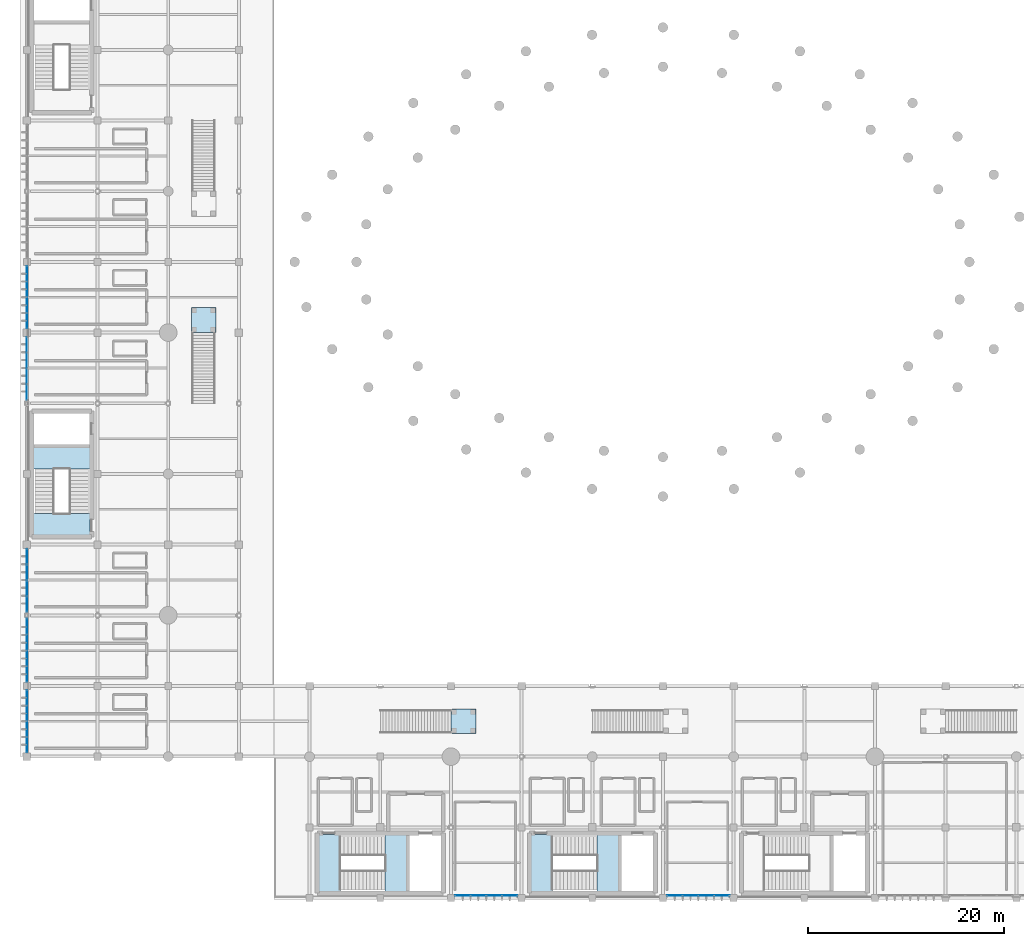
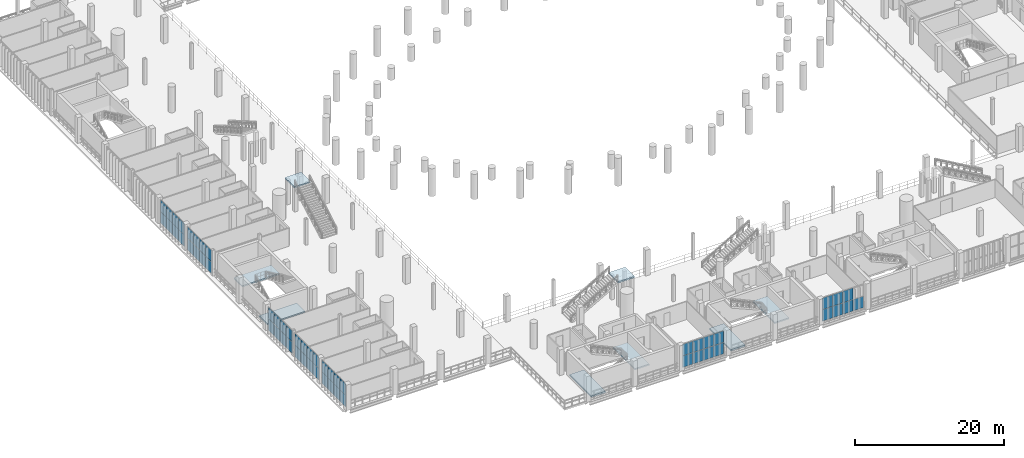
# One storey, part 90 of 130: 55 plates, 8 slabs, 12 elements without a shape of their own.
"""IFC4 building model written with IfcOpenShell, lengths in metres."""

import ifcopenshell
import ifcopenshell.guid

model = None  # the IFC model being written
_history = None  # IfcOwnerHistory: only IFC2X3 demands one
_inside = {}  # id of a spatial element -> (the spatial element, [elements in it])
_under = {}  # id of a project, library or spatial element -> (it, [spatial elements below it])
_declared = {}  # id of a project -> (the project, [libraries it declares])
_typed = {}  # id of a type object -> (the type object, [elements of that type])
_made_of = {}  # id of a material, layer set ... -> (it, [elements and type objects made of it])


def new_model(schema):
    """Start an empty IFC model of exactly this schema.

    Asked for "IFC4X3", IfcOpenShell would pick the latest addendum, in which some entities
    have other attributes; the version numbers below select the first issue.
    IFC2X3 requires an IfcOwnerHistory on every rooted entity: one is made here for all.
    """
    global model, _history
    if schema == "IFC4X3":
        model = ifcopenshell.file(schema_version=(4, 3, 0, 0))
    else:
        model = ifcopenshell.file(schema=schema)
    _inside.clear()
    _under.clear()
    _declared.clear()
    _typed.clear()
    _made_of.clear()
    _history = None
    if model.schema == "IFC2X3":
        org = make("IfcOrganization", Name="unknown")
        user = make(
            "IfcPersonAndOrganization",
            ThePerson=make("IfcPerson", FamilyName="unknown"),
            TheOrganization=org,
        )
        app = make(
            "IfcApplication",
            ApplicationDeveloper=org,
            Version="unknown",
            ApplicationFullName="unknown",
            ApplicationIdentifier="unknown",
        )
        _history = make(
            "IfcOwnerHistory",
            OwningUser=user,
            OwningApplication=app,
            ChangeAction="ADDED",
            CreationDate=0,
        )
    return model


def make(cls, **values):
    """One entity of the class cls with the attributes given. An attribute that is None is left unset."""
    return model.create_entity(
        cls, **{name: value for name, value in values.items() if value is not None}
    )


def rooted(cls, **values):
    """An entity with a GlobalId (a new one), such as an element, a storey or a relation."""
    return make(cls, GlobalId=ifcopenshell.guid.new(), OwnerHistory=_history, **values)


def si_unit(unit_type, name, prefix=None):
    """IfcSIUnit, for example si_unit("LENGTHUNIT", "METRE", prefix="MILLI")."""
    return make("IfcSIUnit", UnitType=unit_type, Prefix=prefix, Name=name)


def assignment(units):
    """IfcUnitAssignment: the units of a project."""
    return None if units is None else make("IfcUnitAssignment", Units=units)


def point(xyz):
    """IfcCartesianPoint."""
    return None if xyz is None else make("IfcCartesianPoint", Coordinates=xyz)


def direction(xyz):
    """IfcDirection."""
    return None if xyz is None else make("IfcDirection", DirectionRatios=xyz)


def frame(location, z_axis=None, x_axis=None):
    """IfcAxis2Placement3D, a coordinate frame: its origin and axes. An axis left out is left unset."""
    return make(
        "IfcAxis2Placement3D",
        Location=point(location),
        Axis=direction(z_axis),
        RefDirection=direction(x_axis),
    )


def frame_2d(location, x_axis=None):
    """IfcAxis2Placement2D, a coordinate frame in the plane: its origin and x axis."""
    return make(
        "IfcAxis2Placement2D", Location=point(location), RefDirection=direction(x_axis)
    )


def origin():
    """The frame at (0, 0, 0) with its axes left unset."""
    return frame((0.0, 0.0, 0.0))


def origin_2d():
    """The frame at (0, 0) in the plane with its x axis left unset."""
    return frame_2d((0.0, 0.0))


def place(relative_to, where):
    """IfcLocalPlacement: puts the frame where relative to a parent placement (None: the world)."""
    return make(
        "IfcLocalPlacement", PlacementRelTo=relative_to, RelativePlacement=where
    )


def context(
    kind, dimensions, precision=None, world=None, true_north=None, identifier=None
):
    """IfcGeometricRepresentationContext, for example the 3D "Model" context."""
    return make(
        "IfcGeometricRepresentationContext",
        ContextIdentifier=identifier,
        ContextType=kind,
        CoordinateSpaceDimension=dimensions,
        Precision=precision,
        WorldCoordinateSystem=world,
        TrueNorth=true_north,
    )


def subcontext(parent, identifier, kind, view, scale=None):
    """IfcGeometricRepresentationSubContext, for example "Body" below "Model"."""
    return make(
        "IfcGeometricRepresentationSubContext",
        ContextIdentifier=identifier,
        ContextType=kind,
        ParentContext=parent,
        TargetScale=scale,
        TargetView=view,
    )


def project(units=None, contexts=None):
    """IfcProject with its units and contexts."""
    return rooted(
        "IfcProject",
        Name="project",
        RepresentationContexts=contexts,
        UnitsInContext=assignment(units),
    )


def spatial(cls, under=None, at=None, **own):
    """A site, building, storey or space (cls), placed at a placement, below another one or the project."""
    s = rooted(cls, ObjectPlacement=at, **own)
    if under is not None:
        _under.setdefault(under.id(), (under, []))[1].append(s)
    return s


def polyline(points):
    """IfcPolyline through the points."""
    return make("IfcPolyline", Points=[point(p) for p in points])


def profile(cls, at=None, kind="AREA", **sizes):
    """A parametric profile (cls). Its sizes go by their IFC names, for example OverallWidth=200.0."""
    return make(cls, ProfileType=kind, Position=at, **sizes)


def rectangle(**sizes):
    """IfcRectangleProfileDef."""
    return profile("IfcRectangleProfileDef", **sizes)


def outline(outer, holes=None, kind="AREA"):
    """IfcArbitraryClosedProfileDef: a profile drawn as a closed curve; with holes, ...WithVoids."""
    if holes is None:
        return make("IfcArbitraryClosedProfileDef", ProfileType=kind, OuterCurve=outer)
    return make(
        "IfcArbitraryProfileDefWithVoids",
        ProfileType=kind,
        OuterCurve=outer,
        InnerCurves=holes,
    )


def extrude(swept, where, along, depth):
    """IfcExtrudedAreaSolid: the profile swept, set in the frame where, extruded along a direction by depth."""
    return make(
        "IfcExtrudedAreaSolid",
        SweptArea=swept,
        Position=where,
        ExtrudedDirection=direction(along),
        Depth=depth,
    )


def shape(context_of_items, identifier, shape_type, items):
    """IfcShapeRepresentation: the items that make up one representation, for example the "Body"."""
    return make(
        "IfcShapeRepresentation",
        ContextOfItems=context_of_items,
        RepresentationIdentifier=identifier,
        RepresentationType=shape_type,
        Items=items,
    )


def material(Name=None, Category=None):
    """IfcMaterial."""
    return make("IfcMaterial", Name=Name, Category=Category)


def layer(
    of_material, thickness, ventilated=None, Name=None, Category=None, Priority=None
):
    """IfcMaterialLayer: one layer of a wall or slab, of a material (None: an air gap)."""
    return make(
        "IfcMaterialLayer",
        Material=of_material,
        LayerThickness=thickness,
        IsVentilated=ventilated,
        Name=Name,
        Category=Category,
        Priority=Priority,
    )


def layer_set(layers, Name=None):
    """IfcMaterialLayerSet."""
    return make("IfcMaterialLayerSet", MaterialLayers=layers, LayerSetName=Name)


def made_of(thing, what):
    """Note that an element or type object is made of a material, layer set ...; save() writes the relation."""
    if what is not None:
        _made_of.setdefault(what.id(), (what, []))[1].append(thing)
    return thing


def type_object(cls, material=None, **own):
    """A type object (cls), such as IfcWallType, which elements share."""
    return made_of(rooted(cls, **own), material)


def element(
    cls,
    number,
    at=None,
    inside=None,
    cuts=None,
    type_object=None,
    material=None,
    context=None,
    identifier="Body",
    shape_type=None,
    held_by="IfcProductDefinitionShape",
    body=None,
    shapes=None,
    **own,
):
    """One element of the class cls, such as IfcWall. Its Tag is "e" and its number.

    at: its placement. inside: the storey or other place that contains it. cuts: it is an
    opening in that element (IfcRelVoidsElement). A single representation is given by context,
    identifier, shape_type and body (its items); several are given by shapes. held_by: the class
    of the entity that holds the representations. save() writes the other relations.
    """
    e = rooted(cls, Tag="e%d" % number, ObjectPlacement=at, **own)
    if body is not None:
        shapes = [shape(context, identifier, shape_type, body)]
    if shapes is not None:
        e.Representation = make(held_by, Representations=shapes)
    if inside is not None:
        _inside.setdefault(inside.id(), (inside, []))[1].append(e)
    if cuts is not None:
        rooted(
            "IfcRelVoidsElement", RelatingBuildingElement=cuts, RelatedOpeningElement=e
        )
    if type_object is not None:
        _typed.setdefault(type_object.id(), (type_object, []))[1].append(e)
    return made_of(e, material)


def aggregate(whole, parts):
    """IfcRelAggregates: a whole, such as a stair, and the parts it consists of."""
    return rooted("IfcRelAggregates", RelatingObject=whole, RelatedObjects=parts)


def save(model, path):
    """Write the relations noted so far, then the file.

    IfcRelAggregates (storeys below a building ...), IfcRelContainedInSpatialStructure (elements
    in a storey), IfcRelDefinesByType, IfcRelAssociatesMaterial and IfcRelDeclares: one each for
    every whole, place, type object, material and project.
    """
    for whole, parts in _under.values():
        aggregate(whole, parts)
    for where, things in _inside.values():
        rooted(
            "IfcRelContainedInSpatialStructure",
            RelatedElements=things,
            RelatingStructure=where,
        )
    for kind, things in _typed.values():
        rooted("IfcRelDefinesByType", RelatedObjects=things, RelatingType=kind)
    for what, things in _made_of.values():
        rooted("IfcRelAssociatesMaterial", RelatedObjects=things, RelatingMaterial=what)
    for by, libraries in _declared.values():
        rooted("IfcRelDeclares", RelatingContext=by, RelatedDefinitions=libraries)
    model.write(path)


model = new_model("IFC4")

# Units and contexts
model_context = context("Model", 3, precision=1e-05, world=origin(), true_north=direction((0.0, 1.0)))
body_context = subcontext(model_context, "Body", "Model", "MODEL_VIEW")
ifc_project = project(units=[si_unit("LENGTHUNIT", "METRE"), si_unit("AREAUNIT", "SQUARE_METRE"), si_unit("VOLUMEUNIT", "CUBIC_METRE"), si_unit("PLANEANGLEUNIT", "RADIAN"), si_unit("MASSUNIT", "GRAM", prefix="KILO")], contexts=[model_context])

# Site, building, storey
site_placement = place(None, origin())
site = spatial("IfcSite", under=ifc_project, at=site_placement, CompositionType="ELEMENT")
building_placement = place(site_placement, origin())
building = spatial("IfcBuilding", under=site, at=building_placement, Name="Qandorah Velis Arena", CompositionType="ELEMENT")
storey_placement = place(building_placement, frame((0.0, 0.0, 9.60009765625)))
storey = spatial("IfcBuildingStorey", under=building, at=storey_placement, Name="L02", CompositionType="ELEMENT", Elevation=9.60009765625)

# Curtain wall, plates
ifc_material_1 = material(Name="Solar-control low-E double glazing", Category="glass")
curtain_wall_type_1 = type_object("IfcCurtainWallType", Name="ARC-CW-SYS14", PredefinedType="USERDEFINED", material=ifc_material_1)
curtain_wall_1_placement = place(storey_placement, origin())
curtain_wall_1 = element("IfcCurtainWall", 1, at=curtain_wall_1_placement, inside=storey, type_object=curtain_wall_type_1, Name="Unitised curtain wall L02-014", ObjectType="UNITISED CURTAIN WALL", PredefinedType="USERDEFINED")
ifc_layer_1 = layer(ifc_material_1, 0.02392578125)
ifc_layer_set_1 = layer_set([ifc_layer_1], Name="Solar-control low-E double glazing")
plate_type_1 = type_object("IfcPlateType", Name="ARC-CWP-GLZ24", PredefinedType="CURTAIN_PANEL", material=ifc_layer_set_1)
plate_1_placement = place(storey_placement, frame((0.0, 51.52880859375, 0.0546875), z_axis=(0.0, 0.0, 1.0), x_axis=(0.0, 1.0, 0.0)))
plate_1 = element("IfcPlate", 2, at=plate_1_placement, type_object=plate_type_1, Name="CW14 panel 1.1", PredefinedType="CURTAIN_PANEL", context=body_context, shape_type="SweptSolid", body=[
    extrude(rectangle(XDim=1.547607421875, YDim=0.02392578125, at=origin_2d()), origin(), (0.0, 0.0, 1.0), 1.862548828125),
])
plate_2_placement = place(storey_placement, frame((0.0, 51.52880859375, 1.96240234375), z_axis=(0.0, 0.0, 1.0), x_axis=(0.0, 1.0, 0.0)))
plate_2 = element("IfcPlate", 3, at=plate_2_placement, type_object=plate_type_1, Name="CW14 panel 1.2", PredefinedType="CURTAIN_PANEL", context=body_context, shape_type="SweptSolid", body=[
    extrude(rectangle(XDim=1.547607421875, YDim=0.02392578125, at=origin_2d()), origin(), (0.0, 0.0, 1.0), 1.862548828125),
])
plate_3_placement = place(storey_placement, frame((0.0, 53.137451171875, 0.0546875), z_axis=(0.0, 0.0, 1.0), x_axis=(0.0, 1.0, 0.0)))
plate_3 = element("IfcPlate", 4, at=plate_3_placement, type_object=plate_type_1, Name="CW14 panel 2.1", PredefinedType="CURTAIN_PANEL", context=body_context, shape_type="SweptSolid", body=[
    extrude(rectangle(XDim=1.580078125, YDim=0.02392578125, at=origin_2d()), origin(), (0.0, 0.0, 1.0), 1.862548828125),
])
plate_4_placement = place(storey_placement, frame((0.0, 53.137451171875, 1.96240234375), z_axis=(0.0, 0.0, 1.0), x_axis=(0.0, 1.0, 0.0)))
plate_4 = element("IfcPlate", 5, at=plate_4_placement, type_object=plate_type_1, Name="CW14 panel 2.2", PredefinedType="CURTAIN_PANEL", context=body_context, shape_type="SweptSolid", body=[
    extrude(rectangle(XDim=1.580078125, YDim=0.02392578125, at=origin_2d()), origin(), (0.0, 0.0, 1.0), 1.862548828125),
])
plate_5_placement = place(storey_placement, frame((0.0, 54.762451171875, 0.0546875), z_axis=(0.0, 0.0, 1.0), x_axis=(0.0, 1.0, 0.0)))
plate_5 = element("IfcPlate", 6, at=plate_5_placement, type_object=plate_type_1, Name="CW14 panel 3.1", PredefinedType="CURTAIN_PANEL", context=body_context, shape_type="SweptSolid", body=[
    extrude(rectangle(XDim=1.580078125, YDim=0.02392578125, at=origin_2d()), origin(), (0.0, 0.0, 1.0), 1.862548828125),
])
plate_6_placement = place(storey_placement, frame((0.0, 54.762451171875, 1.96240234375), z_axis=(0.0, 0.0, 1.0), x_axis=(0.0, 1.0, 0.0)))
plate_6 = element("IfcPlate", 7, at=plate_6_placement, type_object=plate_type_1, Name="CW14 panel 3.2", PredefinedType="CURTAIN_PANEL", context=body_context, shape_type="SweptSolid", body=[
    extrude(rectangle(XDim=1.580078125, YDim=0.02392578125, at=origin_2d()), origin(), (0.0, 0.0, 1.0), 1.862548828125),
])
plate_7_placement = place(storey_placement, frame((0.0, 56.371337890625, 0.0546875), z_axis=(0.0, 0.0, 1.0), x_axis=(0.0, 1.0, 0.0)))
plate_7 = element("IfcPlate", 8, at=plate_7_placement, type_object=plate_type_1, Name="CW14 panel 4.1", PredefinedType="CURTAIN_PANEL", context=body_context, shape_type="SweptSolid", body=[
    extrude(rectangle(XDim=1.547607421875, YDim=0.02392578125, at=origin_2d()), origin(), (0.0, 0.0, 1.0), 1.862548828125),
])
plate_8_placement = place(storey_placement, frame((0.0, 56.371337890625, 1.96240234375), z_axis=(0.0, 0.0, 1.0), x_axis=(0.0, 1.0, 0.0)))
plate_8 = element("IfcPlate", 9, at=plate_8_placement, type_object=plate_type_1, Name="CW14 panel 4.2", PredefinedType="CURTAIN_PANEL", context=body_context, shape_type="SweptSolid", body=[
    extrude(rectangle(XDim=1.547607421875, YDim=0.02392578125, at=origin_2d()), origin(), (0.0, 0.0, 1.0), 1.862548828125),
])
aggregate(curtain_wall_1, [plate_1, plate_2, plate_3, plate_4, plate_5, plate_6, plate_7, plate_8])

curtain_wall_type_2 = type_object("IfcCurtainWallType", Name="ARC-CW-SYS16", PredefinedType="USERDEFINED", material=ifc_material_1)
curtain_wall_2_placement = place(storey_placement, origin())
curtain_wall_2 = element("IfcCurtainWall", 10, at=curtain_wall_2_placement, inside=storey, type_object=curtain_wall_type_2, Name="Unitised curtain wall L02-064", ObjectType="UNITISED CURTAIN WALL", PredefinedType="USERDEFINED")
plate_9_placement = place(storey_placement, frame((65.9951171875, 0.25, 0.044921875), z_axis=(0.0, 0.0, 1.0), x_axis=(1.0, 0.0, 0.0)))
plate_9 = element("IfcPlate", 11, at=plate_9_placement, type_object=plate_type_1, Name="CW16 panel 1.1", PredefinedType="CURTAIN_PANEL", context=body_context, shape_type="SweptSolid", body=[
    extrude(rectangle(XDim=1.550048828125, YDim=0.02392578125, at=origin_2d()), origin(), (0.0, 0.0, 1.0), 1.87744140625),
])
plate_10_placement = place(storey_placement, frame((65.9951171875, 0.25, 1.95751953125), z_axis=(0.0, 0.0, 1.0), x_axis=(1.0, 0.0, 0.0)))
plate_10 = element("IfcPlate", 12, at=plate_10_placement, type_object=plate_type_1, Name="CW16 panel 1.2", PredefinedType="CURTAIN_PANEL", context=body_context, shape_type="SweptSolid", body=[
    extrude(rectangle(XDim=1.550048828125, YDim=0.02392578125, at=origin_2d()), origin(), (0.0, 0.0, 1.0), 1.87744140625),
])
plate_11_placement = place(storey_placement, frame((67.59375, 0.25, 0.044921875), z_axis=(0.0, 0.0, 1.0), x_axis=(1.0, 0.0, 0.0)))
plate_11 = element("IfcPlate", 13, at=plate_11_placement, type_object=plate_type_1, Name="CW16 panel 2.1", PredefinedType="CURTAIN_PANEL", context=body_context, shape_type="SweptSolid", body=[
    extrude(rectangle(XDim=1.577392578125, YDim=0.02392578125, at=origin_2d()), origin(), (0.0, 0.0, 1.0), 1.87744140625),
])
plate_12_placement = place(storey_placement, frame((67.59375, 0.25, 1.95751953125), z_axis=(0.0, 0.0, 1.0), x_axis=(1.0, 0.0, 0.0)))
plate_12 = element("IfcPlate", 14, at=plate_12_placement, type_object=plate_type_1, Name="CW16 panel 2.2", PredefinedType="CURTAIN_PANEL", context=body_context, shape_type="SweptSolid", body=[
    extrude(rectangle(XDim=1.577392578125, YDim=0.02392578125, at=origin_2d()), origin(), (0.0, 0.0, 1.0), 1.87744140625),
])
plate_13_placement = place(storey_placement, frame((69.206298828125, 0.25, 0.044921875), z_axis=(0.0, 0.0, 1.0), x_axis=(1.0, 0.0, 0.0)))
plate_13 = element("IfcPlate", 15, at=plate_13_placement, type_object=plate_type_1, Name="CW16 panel 3.1", PredefinedType="CURTAIN_PANEL", context=body_context, shape_type="SweptSolid", body=[
    extrude(rectangle(XDim=1.577392578125, YDim=0.02392578125, at=origin_2d()), origin(), (0.0, 0.0, 1.0), 1.87744140625),
])
plate_14_placement = place(storey_placement, frame((69.206298828125, 0.25, 1.95751953125), z_axis=(0.0, 0.0, 1.0), x_axis=(1.0, 0.0, 0.0)))
plate_14 = element("IfcPlate", 16, at=plate_14_placement, type_object=plate_type_1, Name="CW16 panel 3.2", PredefinedType="CURTAIN_PANEL", context=body_context, shape_type="SweptSolid", body=[
    extrude(rectangle(XDim=1.577392578125, YDim=0.02392578125, at=origin_2d()), origin(), (0.0, 0.0, 1.0), 1.87744140625),
])
plate_15_placement = place(storey_placement, frame((70.804931640625, 0.25, 0.044921875), z_axis=(0.0, 0.0, 1.0), x_axis=(1.0, 0.0, 0.0)))
plate_15 = element("IfcPlate", 17, at=plate_15_placement, type_object=plate_type_1, Name="CW16 panel 4.1", PredefinedType="CURTAIN_PANEL", context=body_context, shape_type="SweptSolid", body=[
    extrude(rectangle(XDim=1.550048828125, YDim=0.02392578125, at=origin_2d()), origin(), (0.0, 0.0, 1.0), 1.87744140625),
])
aggregate(curtain_wall_2, [plate_9, plate_10, plate_11, plate_12, plate_13, plate_14, plate_15])

curtain_wall_type_3 = type_object("IfcCurtainWallType", Name="ARC-CW-SYS13", PredefinedType="USERDEFINED", material=ifc_material_1)
curtain_wall_3_placement = place(storey_placement, origin())
curtain_wall_3 = element("IfcCurtainWall", 18, at=curtain_wall_3_placement, inside=storey, type_object=curtain_wall_type_3, Name="Unitised curtain wall L02-013", ObjectType="UNITISED CURTAIN WALL", PredefinedType="USERDEFINED")
ifc_layer_2 = layer(ifc_material_1, 0.028076171875)
ifc_layer_set_2 = layer_set([ifc_layer_2], Name="Solar-control low-E double glazing")
plate_type_2 = type_object("IfcPlateType", Name="ARC-CWP-GLZ28", PredefinedType="CURTAIN_PANEL", material=ifc_layer_set_2)
plate_16_placement = place(storey_placement, frame((0.0, 29.93115234375, 0.06494140625), z_axis=(0.0, 0.0, 1.0), x_axis=(0.0, 1.0, 0.0)))
plate_16 = element("IfcPlate", 19, at=plate_16_placement, type_object=plate_type_2, Name="CW13 panel 1.1", PredefinedType="CURTAIN_PANEL", context=body_context, shape_type="SweptSolid", body=[
    extrude(rectangle(XDim=1.532470703125, YDim=0.028076171875, at=origin_2d()), origin(), (0.0, 0.0, 1.0), 1.847412109375),
])
plate_17_placement = place(storey_placement, frame((0.0, 29.93115234375, 1.96728515625), z_axis=(0.0, 0.0, 1.0), x_axis=(0.0, 1.0, 0.0)))
plate_17 = element("IfcPlate", 20, at=plate_17_placement, type_object=plate_type_2, Name="CW13 panel 1.2", PredefinedType="CURTAIN_PANEL", context=body_context, shape_type="SweptSolid", body=[
    extrude(rectangle(XDim=1.532470703125, YDim=0.028076171875, at=origin_2d()), origin(), (0.0, 0.0, 1.0), 1.847412109375),
])
plate_18_placement = place(storey_placement, frame((0.0, 31.53759765625, 0.06494140625), z_axis=(0.0, 0.0, 1.0), x_axis=(0.0, 1.0, 0.0)))
plate_18 = element("IfcPlate", 21, at=plate_18_placement, type_object=plate_type_2, Name="CW13 panel 2.1", PredefinedType="CURTAIN_PANEL", context=body_context, shape_type="SweptSolid", body=[
    extrude(rectangle(XDim=1.570068359375, YDim=0.028076171875, at=origin_2d()), origin(), (0.0, 0.0, 1.0), 1.847412109375),
])
plate_19_placement = place(storey_placement, frame((0.0, 31.53759765625, 1.96728515625), z_axis=(0.0, 0.0, 1.0), x_axis=(0.0, 1.0, 0.0)))
plate_19 = element("IfcPlate", 22, at=plate_19_placement, type_object=plate_type_2, Name="CW13 panel 2.2", PredefinedType="CURTAIN_PANEL", context=body_context, shape_type="SweptSolid", body=[
    extrude(rectangle(XDim=1.570068359375, YDim=0.028076171875, at=origin_2d()), origin(), (0.0, 0.0, 1.0), 1.847412109375),
])
plate_20_placement = place(storey_placement, frame((0.0, 33.16259765625, 0.06494140625), z_axis=(0.0, 0.0, 1.0), x_axis=(0.0, 1.0, 0.0)))
plate_20 = element("IfcPlate", 23, at=plate_20_placement, type_object=plate_type_2, Name="CW13 panel 3.1", PredefinedType="CURTAIN_PANEL", context=body_context, shape_type="SweptSolid", body=[
    extrude(rectangle(XDim=1.570068359375, YDim=0.028076171875, at=origin_2d()), origin(), (0.0, 0.0, 1.0), 1.847412109375),
])
plate_21_placement = place(storey_placement, frame((0.0, 33.16259765625, 1.96728515625), z_axis=(0.0, 0.0, 1.0), x_axis=(0.0, 1.0, 0.0)))
plate_21 = element("IfcPlate", 24, at=plate_21_placement, type_object=plate_type_2, Name="CW13 panel 3.2", PredefinedType="CURTAIN_PANEL", context=body_context, shape_type="SweptSolid", body=[
    extrude(rectangle(XDim=1.570068359375, YDim=0.028076171875, at=origin_2d()), origin(), (0.0, 0.0, 1.0), 1.847412109375),
])
plate_22_placement = place(storey_placement, frame((0.0, 34.768798828125, 0.06494140625), z_axis=(0.0, 0.0, 1.0), x_axis=(0.0, 1.0, 0.0)))
plate_22 = element("IfcPlate", 25, at=plate_22_placement, type_object=plate_type_2, Name="CW13 panel 4.1", PredefinedType="CURTAIN_PANEL", context=body_context, shape_type="SweptSolid", body=[
    extrude(rectangle(XDim=1.532470703125, YDim=0.028076171875, at=origin_2d()), origin(), (0.0, 0.0, 1.0), 1.847412109375),
])
plate_23_placement = place(storey_placement, frame((0.0, 34.768798828125, 1.96728515625), z_axis=(0.0, 0.0, 1.0), x_axis=(0.0, 1.0, 0.0)))
plate_23 = element("IfcPlate", 26, at=plate_23_placement, type_object=plate_type_2, Name="CW13 panel 4.2", PredefinedType="CURTAIN_PANEL", context=body_context, shape_type="SweptSolid", body=[
    extrude(rectangle(XDim=1.532470703125, YDim=0.028076171875, at=origin_2d()), origin(), (0.0, 0.0, 1.0), 1.847412109375),
])
aggregate(curtain_wall_3, [plate_16, plate_17, plate_18, plate_19, plate_20, plate_21, plate_22, plate_23])

curtain_wall_type_4 = type_object("IfcCurtainWallType", Name="ARC-CW-SYS15", PredefinedType="USERDEFINED", material=ifc_material_1)
curtain_wall_4_placement = place(storey_placement, origin())
curtain_wall_4 = element("IfcCurtainWall", 27, at=curtain_wall_4_placement, inside=storey, type_object=curtain_wall_type_4, Name="Unitised curtain wall L02-063", ObjectType="UNITISED CURTAIN WALL", PredefinedType="USERDEFINED")
plate_24_placement = place(storey_placement, frame((44.396240234375, 0.25, 0.0498046875), z_axis=(0.0, 0.0, 1.0), x_axis=(1.0, 0.0, 0.0)))
plate_24 = element("IfcPlate", 28, at=plate_24_placement, type_object=plate_type_2, Name="CW15 panel 1.1", PredefinedType="CURTAIN_PANEL", context=body_context, shape_type="SweptSolid", body=[
    extrude(rectangle(XDim=1.54248046875, YDim=0.028076171875, at=origin_2d()), origin(), (0.0, 0.0, 1.0), 1.8701171875),
])
plate_25_placement = place(storey_placement, frame((44.396240234375, 0.25, 1.9599609375), z_axis=(0.0, 0.0, 1.0), x_axis=(1.0, 0.0, 0.0)))
plate_25 = element("IfcPlate", 29, at=plate_25_placement, type_object=plate_type_2, Name="CW15 panel 1.2", PredefinedType="CURTAIN_PANEL", context=body_context, shape_type="SweptSolid", body=[
    extrude(rectangle(XDim=1.54248046875, YDim=0.028076171875, at=origin_2d()), origin(), (0.0, 0.0, 1.0), 1.8701171875),
])
plate_26_placement = place(storey_placement, frame((45.99365234375, 0.25, 0.0498046875), z_axis=(0.0, 0.0, 1.0), x_axis=(1.0, 0.0, 0.0)))
plate_26 = element("IfcPlate", 30, at=plate_26_placement, type_object=plate_type_2, Name="CW15 panel 2.1", PredefinedType="CURTAIN_PANEL", context=body_context, shape_type="SweptSolid", body=[
    extrude(rectangle(XDim=1.572509765625, YDim=0.028076171875, at=origin_2d()), origin(), (0.0, 0.0, 1.0), 1.8701171875),
])
plate_27_placement = place(storey_placement, frame((45.99365234375, 0.25, 1.9599609375), z_axis=(0.0, 0.0, 1.0), x_axis=(1.0, 0.0, 0.0)))
plate_27 = element("IfcPlate", 31, at=plate_27_placement, type_object=plate_type_2, Name="CW15 panel 2.2", PredefinedType="CURTAIN_PANEL", context=body_context, shape_type="SweptSolid", body=[
    extrude(rectangle(XDim=1.572509765625, YDim=0.028076171875, at=origin_2d()), origin(), (0.0, 0.0, 1.0), 1.8701171875),
])
plate_28_placement = place(storey_placement, frame((47.606201171875, 0.25, 0.0498046875), z_axis=(0.0, 0.0, 1.0), x_axis=(1.0, 0.0, 0.0)))
plate_28 = element("IfcPlate", 32, at=plate_28_placement, type_object=plate_type_2, Name="CW15 panel 3.1", PredefinedType="CURTAIN_PANEL", context=body_context, shape_type="SweptSolid", body=[
    extrude(rectangle(XDim=1.572509765625, YDim=0.028076171875, at=origin_2d()), origin(), (0.0, 0.0, 1.0), 1.8701171875),
])
plate_29_placement = place(storey_placement, frame((47.606201171875, 0.25, 1.9599609375), z_axis=(0.0, 0.0, 1.0), x_axis=(1.0, 0.0, 0.0)))
plate_29 = element("IfcPlate", 33, at=plate_29_placement, type_object=plate_type_2, Name="CW15 panel 3.2", PredefinedType="CURTAIN_PANEL", context=body_context, shape_type="SweptSolid", body=[
    extrude(rectangle(XDim=1.572509765625, YDim=0.028076171875, at=origin_2d()), origin(), (0.0, 0.0, 1.0), 1.8701171875),
])
plate_30_placement = place(storey_placement, frame((49.203857421875, 0.25, 0.0498046875), z_axis=(0.0, 0.0, 1.0), x_axis=(1.0, 0.0, 0.0)))
plate_30 = element("IfcPlate", 34, at=plate_30_placement, type_object=plate_type_2, Name="CW15 panel 4.1", PredefinedType="CURTAIN_PANEL", context=body_context, shape_type="SweptSolid", body=[
    extrude(rectangle(XDim=1.54248046875, YDim=0.028076171875, at=origin_2d()), origin(), (0.0, 0.0, 1.0), 1.8701171875),
])
plate_31_placement = place(storey_placement, frame((49.203857421875, 0.25, 1.9599609375), z_axis=(0.0, 0.0, 1.0), x_axis=(1.0, 0.0, 0.0)))
plate_31 = element("IfcPlate", 35, at=plate_31_placement, type_object=plate_type_2, Name="CW15 panel 4.2", PredefinedType="CURTAIN_PANEL", context=body_context, shape_type="SweptSolid", body=[
    extrude(rectangle(XDim=1.54248046875, YDim=0.028076171875, at=origin_2d()), origin(), (0.0, 0.0, 1.0), 1.8701171875),
])
aggregate(curtain_wall_4, [plate_24, plate_25, plate_26, plate_27, plate_28, plate_29, plate_30, plate_31])

curtain_wall_type_5 = type_object("IfcCurtainWallType", Name="ARC-CW-SYS12", PredefinedType="USERDEFINED", material=ifc_material_1)
curtain_wall_5_placement = place(storey_placement, origin())
curtain_wall_5 = element("IfcCurtainWall", 36, at=curtain_wall_5_placement, inside=storey, type_object=curtain_wall_type_5, Name="Unitised curtain wall L02-012", ObjectType="UNITISED CURTAIN WALL", PredefinedType="USERDEFINED")
ifc_layer_3 = layer(ifc_material_1, 0.030029296875)
ifc_layer_set_3 = layer_set([ifc_layer_3], Name="Solar-control low-E double glazing")
plate_type_3 = type_object("IfcPlateType", Name="ARC-CWP-GLZ30", PredefinedType="CURTAIN_PANEL", material=ifc_layer_set_3)
plate_32_placement = place(storey_placement, frame((0.0, 22.804443359375, 0.044921875), z_axis=(0.0, 0.0, 1.0), x_axis=(0.0, 1.0, 0.0)))
plate_32 = element("IfcPlate", 37, at=plate_32_placement, type_object=plate_type_3, Name="CW12 panel 1.1", PredefinedType="CURTAIN_PANEL", context=body_context, shape_type="SweptSolid", body=[
    extrude(rectangle(XDim=1.568603515625, YDim=0.030029296875, at=origin_2d()), origin(), (0.0, 0.0, 1.0), 1.87744140625),
])
plate_33_placement = place(storey_placement, frame((0.0, 22.804443359375, 1.95751953125), z_axis=(0.0, 0.0, 1.0), x_axis=(0.0, 1.0, 0.0)))
plate_33 = element("IfcPlate", 38, at=plate_33_placement, type_object=plate_type_3, Name="CW12 panel 1.2", PredefinedType="CURTAIN_PANEL", context=body_context, shape_type="SweptSolid", body=[
    extrude(rectangle(XDim=1.568603515625, YDim=0.030029296875, at=origin_2d()), origin(), (0.0, 0.0, 1.0), 1.87744140625),
])
plate_34_placement = place(storey_placement, frame((0.0, 24.421875, 0.044921875), z_axis=(0.0, 0.0, 1.0), x_axis=(0.0, 1.0, 0.0)))
plate_34 = element("IfcPlate", 39, at=plate_34_placement, type_object=plate_type_3, Name="CW12 panel 2.1", PredefinedType="CURTAIN_PANEL", context=body_context, shape_type="SweptSolid", body=[
    extrude(rectangle(XDim=1.59619140625, YDim=0.030029296875, at=origin_2d()), origin(), (0.0, 0.0, 1.0), 1.87744140625),
])
plate_35_placement = place(storey_placement, frame((0.0, 24.421875, 1.95751953125), z_axis=(0.0, 0.0, 1.0), x_axis=(0.0, 1.0, 0.0)))
plate_35 = element("IfcPlate", 40, at=plate_35_placement, type_object=plate_type_3, Name="CW12 panel 2.2", PredefinedType="CURTAIN_PANEL", context=body_context, shape_type="SweptSolid", body=[
    extrude(rectangle(XDim=1.59619140625, YDim=0.030029296875, at=origin_2d()), origin(), (0.0, 0.0, 1.0), 1.87744140625),
])
plate_36_placement = place(storey_placement, frame((0.0, 26.05322265625, 0.044921875), z_axis=(0.0, 0.0, 1.0), x_axis=(0.0, 1.0, 0.0)))
plate_36 = element("IfcPlate", 41, at=plate_36_placement, type_object=plate_type_3, Name="CW12 panel 3.1", PredefinedType="CURTAIN_PANEL", context=body_context, shape_type="SweptSolid", body=[
    extrude(rectangle(XDim=1.59619140625, YDim=0.030029296875, at=origin_2d()), origin(), (0.0, 0.0, 1.0), 1.87744140625),
])
plate_37_placement = place(storey_placement, frame((0.0, 26.05322265625, 1.95751953125), z_axis=(0.0, 0.0, 1.0), x_axis=(0.0, 1.0, 0.0)))
plate_37 = element("IfcPlate", 42, at=plate_37_placement, type_object=plate_type_3, Name="CW12 panel 3.2", PredefinedType="CURTAIN_PANEL", context=body_context, shape_type="SweptSolid", body=[
    extrude(rectangle(XDim=1.59619140625, YDim=0.030029296875, at=origin_2d()), origin(), (0.0, 0.0, 1.0), 1.87744140625),
])
plate_38_placement = place(storey_placement, frame((0.0, 27.670654296875, 0.044921875), z_axis=(0.0, 0.0, 1.0), x_axis=(0.0, 1.0, 0.0)))
plate_38 = element("IfcPlate", 43, at=plate_38_placement, type_object=plate_type_3, Name="CW12 panel 4.1", PredefinedType="CURTAIN_PANEL", context=body_context, shape_type="SweptSolid", body=[
    extrude(rectangle(XDim=1.56884765625, YDim=0.030029296875, at=origin_2d()), origin(), (0.0, 0.0, 1.0), 1.87744140625),
])
plate_39_placement = place(storey_placement, frame((0.0, 27.670654296875, 1.95751953125), z_axis=(0.0, 0.0, 1.0), x_axis=(0.0, 1.0, 0.0)))
plate_39 = element("IfcPlate", 44, at=plate_39_placement, type_object=plate_type_3, Name="CW12 panel 4.2", PredefinedType="CURTAIN_PANEL", context=body_context, shape_type="SweptSolid", body=[
    extrude(rectangle(XDim=1.56884765625, YDim=0.030029296875, at=origin_2d()), origin(), (0.0, 0.0, 1.0), 1.87744140625),
])
aggregate(curtain_wall_5, [plate_32, plate_33, plate_34, plate_35, plate_36, plate_37, plate_38, plate_39])

curtain_wall_type_6 = type_object("IfcCurtainWallType", Name="ARC-CW-SYS11", PredefinedType="USERDEFINED", material=ifc_material_1)
curtain_wall_6_placement = place(storey_placement, origin())
curtain_wall_6 = element("IfcCurtainWall", 45, at=curtain_wall_6_placement, inside=storey, type_object=curtain_wall_type_6, Name="Unitised curtain wall L02-011", ObjectType="UNITISED CURTAIN WALL", PredefinedType="USERDEFINED")
ifc_layer_4 = layer(ifc_material_1, 0.035888671875)
ifc_layer_set_4 = layer_set([ifc_layer_4], Name="Solar-control low-E double glazing")
plate_type_4 = type_object("IfcPlateType", Name="ARC-CWP-GLZ36", PredefinedType="CURTAIN_PANEL", material=ifc_layer_set_4)
plate_40_placement = place(storey_placement, frame((0.0, 15.6181640625, 0.0498046875), z_axis=(0.0, 0.0, 1.0), x_axis=(0.0, 1.0, 0.0)))
plate_40 = element("IfcPlate", 46, at=plate_40_placement, type_object=plate_type_4, Name="CW11 panel 1.1", PredefinedType="CURTAIN_PANEL", context=body_context, shape_type="SweptSolid", body=[
    extrude(rectangle(XDim=1.536376953125, YDim=0.035888671875, at=origin_2d()), origin(), (0.0, 0.0, 1.0), 1.8701171875),
])
plate_41_placement = place(storey_placement, frame((0.0, 15.6181640625, 1.9599609375), z_axis=(0.0, 0.0, 1.0), x_axis=(0.0, 1.0, 0.0)))
plate_41 = element("IfcPlate", 47, at=plate_41_placement, type_object=plate_type_4, Name="CW11 panel 1.2", PredefinedType="CURTAIN_PANEL", context=body_context, shape_type="SweptSolid", body=[
    extrude(rectangle(XDim=1.536376953125, YDim=0.035888671875, at=origin_2d()), origin(), (0.0, 0.0, 1.0), 1.8701171875),
])
plate_42_placement = place(storey_placement, frame((0.0, 17.20947265625, 0.0498046875), z_axis=(0.0, 0.0, 1.0), x_axis=(0.0, 1.0, 0.0)))
plate_42 = element("IfcPlate", 48, at=plate_42_placement, type_object=plate_type_4, Name="CW11 panel 2.1", PredefinedType="CURTAIN_PANEL", context=body_context, shape_type="SweptSolid", body=[
    extrude(rectangle(XDim=1.56640625, YDim=0.035888671875, at=origin_2d()), origin(), (0.0, 0.0, 1.0), 1.8701171875),
])
plate_43_placement = place(storey_placement, frame((0.0, 17.20947265625, 1.9599609375), z_axis=(0.0, 0.0, 1.0), x_axis=(0.0, 1.0, 0.0)))
plate_43 = element("IfcPlate", 49, at=plate_43_placement, type_object=plate_type_4, Name="CW11 panel 2.2", PredefinedType="CURTAIN_PANEL", context=body_context, shape_type="SweptSolid", body=[
    extrude(rectangle(XDim=1.56640625, YDim=0.035888671875, at=origin_2d()), origin(), (0.0, 0.0, 1.0), 1.8701171875),
])
plate_44_placement = place(storey_placement, frame((0.0, 18.815673828125, 0.0498046875), z_axis=(0.0, 0.0, 1.0), x_axis=(0.0, 1.0, 0.0)))
plate_44 = element("IfcPlate", 50, at=plate_44_placement, type_object=plate_type_4, Name="CW11 panel 3.1", PredefinedType="CURTAIN_PANEL", context=body_context, shape_type="SweptSolid", body=[
    extrude(rectangle(XDim=1.56640625, YDim=0.035888671875, at=origin_2d()), origin(), (0.0, 0.0, 1.0), 1.8701171875),
])
plate_45_placement = place(storey_placement, frame((0.0, 18.815673828125, 1.9599609375), z_axis=(0.0, 0.0, 1.0), x_axis=(0.0, 1.0, 0.0)))
plate_45 = element("IfcPlate", 51, at=plate_45_placement, type_object=plate_type_4, Name="CW11 panel 3.2", PredefinedType="CURTAIN_PANEL", context=body_context, shape_type="SweptSolid", body=[
    extrude(rectangle(XDim=1.56640625, YDim=0.035888671875, at=origin_2d()), origin(), (0.0, 0.0, 1.0), 1.8701171875),
])
plate_46_placement = place(storey_placement, frame((0.0, 20.406982421875, 0.0498046875), z_axis=(0.0, 0.0, 1.0), x_axis=(0.0, 1.0, 0.0)))
plate_46 = element("IfcPlate", 52, at=plate_46_placement, type_object=plate_type_4, Name="CW11 panel 4.1", PredefinedType="CURTAIN_PANEL", context=body_context, shape_type="SweptSolid", body=[
    extrude(rectangle(XDim=1.5361328125, YDim=0.035888671875, at=origin_2d()), origin(), (0.0, 0.0, 1.0), 1.8701171875),
])
plate_47_placement = place(storey_placement, frame((0.0, 20.406982421875, 1.9599609375), z_axis=(0.0, 0.0, 1.0), x_axis=(0.0, 1.0, 0.0)))
plate_47 = element("IfcPlate", 53, at=plate_47_placement, type_object=plate_type_4, Name="CW11 panel 4.2", PredefinedType="CURTAIN_PANEL", context=body_context, shape_type="SweptSolid", body=[
    extrude(rectangle(XDim=1.5361328125, YDim=0.035888671875, at=origin_2d()), origin(), (0.0, 0.0, 1.0), 1.8701171875),
])
aggregate(curtain_wall_6, [plate_40, plate_41, plate_42, plate_43, plate_44, plate_45, plate_46, plate_47])

curtain_wall_7_placement = place(storey_placement, origin())
curtain_wall_7 = element("IfcCurtainWall", 54, at=curtain_wall_7_placement, inside=storey, type_object=curtain_wall_type_4, Name="Unitised curtain wall L02-015", ObjectType="UNITISED CURTAIN WALL", PredefinedType="USERDEFINED")
ifc_layer_5 = layer(ifc_material_1, 0.0439453125)
ifc_layer_set_5 = layer_set([ifc_layer_5], Name="Solar-control low-E double glazing")
plate_type_5 = type_object("IfcPlateType", Name="ARC-CWP-SPN44", PredefinedType="CURTAIN_PANEL", material=ifc_layer_set_5)
plate_48_placement = place(storey_placement, frame((0.0, 58.818115234375, 0.0498046875), z_axis=(0.0, 0.0, 1.0), x_axis=(0.0, 1.0, 0.0)))
plate_48 = element("IfcPlate", 55, at=plate_48_placement, type_object=plate_type_5, Name="CW15 panel 1.1", PredefinedType="CURTAIN_PANEL", context=body_context, shape_type="SweptSolid", body=[
    extrude(rectangle(XDim=1.5361328125, YDim=0.0439453125, at=origin_2d()), origin(), (0.0, 0.0, 1.0), 1.8701171875),
])
plate_49_placement = place(storey_placement, frame((0.0, 58.818115234375, 1.9599609375), z_axis=(0.0, 0.0, 1.0), x_axis=(0.0, 1.0, 0.0)))
plate_49 = element("IfcPlate", 56, at=plate_49_placement, type_object=plate_type_5, Name="CW15 panel 1.2", PredefinedType="CURTAIN_PANEL", context=body_context, shape_type="SweptSolid", body=[
    extrude(rectangle(XDim=1.5361328125, YDim=0.0439453125, at=origin_2d()), origin(), (0.0, 0.0, 1.0), 1.8701171875),
])
plate_50_placement = place(storey_placement, frame((0.0, 60.409423828125, 0.0498046875), z_axis=(0.0, 0.0, 1.0), x_axis=(0.0, 1.0, 0.0)))
plate_50 = element("IfcPlate", 57, at=plate_50_placement, type_object=plate_type_5, Name="CW15 panel 2.1", PredefinedType="CURTAIN_PANEL", context=body_context, shape_type="SweptSolid", body=[
    extrude(rectangle(XDim=1.566162109375, YDim=0.0439453125, at=origin_2d()), origin(), (0.0, 0.0, 1.0), 1.8701171875),
])
plate_51_placement = place(storey_placement, frame((0.0, 60.409423828125, 1.9599609375), z_axis=(0.0, 0.0, 1.0), x_axis=(0.0, 1.0, 0.0)))
plate_51 = element("IfcPlate", 58, at=plate_51_placement, type_object=plate_type_5, Name="CW15 panel 2.2", PredefinedType="CURTAIN_PANEL", context=body_context, shape_type="SweptSolid", body=[
    extrude(rectangle(XDim=1.566162109375, YDim=0.0439453125, at=origin_2d()), origin(), (0.0, 0.0, 1.0), 1.8701171875),
])
plate_52_placement = place(storey_placement, frame((0.0, 62.015625, 0.0498046875), z_axis=(0.0, 0.0, 1.0), x_axis=(0.0, 1.0, 0.0)))
plate_52 = element("IfcPlate", 59, at=plate_52_placement, type_object=plate_type_5, Name="CW15 panel 3.1", PredefinedType="CURTAIN_PANEL", context=body_context, shape_type="SweptSolid", body=[
    extrude(rectangle(XDim=1.566162109375, YDim=0.0439453125, at=origin_2d()), origin(), (0.0, 0.0, 1.0), 1.8701171875),
])
plate_53_placement = place(storey_placement, frame((0.0, 62.015625, 1.9599609375), z_axis=(0.0, 0.0, 1.0), x_axis=(0.0, 1.0, 0.0)))
plate_53 = element("IfcPlate", 60, at=plate_53_placement, type_object=plate_type_5, Name="CW15 panel 3.2", PredefinedType="CURTAIN_PANEL", context=body_context, shape_type="SweptSolid", body=[
    extrude(rectangle(XDim=1.566162109375, YDim=0.0439453125, at=origin_2d()), origin(), (0.0, 0.0, 1.0), 1.8701171875),
])
plate_54_placement = place(storey_placement, frame((0.0, 63.60693359375, 0.0498046875), z_axis=(0.0, 0.0, 1.0), x_axis=(0.0, 1.0, 0.0)))
plate_54 = element("IfcPlate", 61, at=plate_54_placement, type_object=plate_type_5, Name="CW15 panel 4.1", PredefinedType="CURTAIN_PANEL", context=body_context, shape_type="SweptSolid", body=[
    extrude(rectangle(XDim=1.5361328125, YDim=0.0439453125, at=origin_2d()), origin(), (0.0, 0.0, 1.0), 1.8701171875),
])
plate_55_placement = place(storey_placement, frame((0.0, 63.60693359375, 1.9599609375), z_axis=(0.0, 0.0, 1.0), x_axis=(0.0, 1.0, 0.0)))
plate_55 = element("IfcPlate", 62, at=plate_55_placement, type_object=plate_type_5, Name="CW15 panel 4.2", PredefinedType="CURTAIN_PANEL", context=body_context, shape_type="SweptSolid", body=[
    extrude(rectangle(XDim=1.5361328125, YDim=0.0439453125, at=origin_2d()), origin(), (0.0, 0.0, 1.0), 1.8701171875),
])
aggregate(curtain_wall_7, [plate_48, plate_49, plate_50, plate_51, plate_52, plate_53, plate_54, plate_55])

# Slab
ifc_material_2 = material(Name="Concrete C40/50", Category="concrete")
ifc_layer_6 = layer(ifc_material_2, 0.219970703125)
ifc_layer_set_6 = layer_set([ifc_layer_6], Name="Concrete C40/50")
slab_type = type_object("IfcSlabType", Name="STR-SLB-LND220", PredefinedType="LANDING", material=ifc_layer_set_6)
slab_1_placement = place(storey_placement, frame((0.0, 0.0, -0.22021484375)))
element("IfcSlab", 63, at=slab_1_placement, inside=storey, type_object=slab_type, Name="Stair ST1 storey landing slab L02", PredefinedType="LANDING", context=body_context, shape_type="SweptSolid", body=[
    extrude(outline(polyline([(29.75, 0.64990234375), (31.949951171875, 0.64990234375), (31.949951171875, 6.449951171875), (29.75, 6.449951171875), (29.75, 0.64990234375)])), origin(), (0.0, 0.0, 1.0), 0.22021484375),
])

# Stair, slab
stair_type_1 = type_object("IfcStairType", Name="ARC-ST-CORE42", PredefinedType="HALF_TURN_STAIR", material=ifc_material_2)
stair_1_placement = place(storey_placement, origin())
stair_1 = element("IfcStair", 64, at=stair_1_placement, inside=storey, type_object=stair_type_1, Name="Protected exit stair ST1 (L02)", PredefinedType="HALF_TURN_STAIR")
slab_2_placement = place(storey_placement, frame((0.0, 0.0, 1.8798828125)))
slab_2 = element("IfcSlab", 65, at=slab_2_placement, type_object=slab_type, Name="ST1 landing 1", PredefinedType="LANDING", context=body_context, shape_type="SweptSolid", body=[
    extrude(outline(polyline([(36.486083984375, 0.64990234375), (38.736083984375, 0.64990234375), (38.736083984375, 6.449951171875), (36.486083984375, 6.449951171875), (36.486083984375, 0.64990234375)])), origin(), (0.0, 0.0, 1.0), 0.219970703125),
])
aggregate(stair_1, [slab_2])

# Slab
slab_3_placement = place(storey_placement, frame((0.0, 0.0, -0.22021484375)))
element("IfcSlab", 66, at=slab_3_placement, inside=storey, type_object=slab_type, Name="Stair ST5 storey landing slab L02", PredefinedType="LANDING", context=body_context, shape_type="SweptSolid", body=[
    extrude(outline(polyline([(0.64990234375, 36.949951171875), (6.449951171875, 36.949951171875), (6.449951171875, 39.14990234375), (0.64990234375, 39.14990234375), (0.64990234375, 36.949951171875)])), origin(), (0.0, 0.0, 1.0), 0.22021484375),
])

# Stair, slab
stair_2_placement = place(storey_placement, origin())
stair_2 = element("IfcStair", 67, at=stair_2_placement, inside=storey, type_object=stair_type_1, Name="Protected exit stair ST5 (L02)", PredefinedType="HALF_TURN_STAIR")
slab_4_placement = place(storey_placement, frame((0.0, 0.0, 1.8798828125)))
slab_4 = element("IfcSlab", 68, at=slab_4_placement, type_object=slab_type, Name="ST5 landing 1", PredefinedType="LANDING", context=body_context, shape_type="SweptSolid", body=[
    extrude(outline(polyline([(0.64990234375, 43.68603515625), (6.449951171875, 43.68603515625), (6.449951171875, 45.93603515625), (0.64990234375, 45.93603515625), (0.64990234375, 43.68603515625)])), origin(), (0.0, 0.0, 1.0), 0.219970703125),
])
aggregate(stair_2, [slab_4])

# Slab
slab_5_placement = place(storey_placement, frame((0.0, 0.0, -0.22021484375)))
element("IfcSlab", 69, at=slab_5_placement, inside=storey, type_object=slab_type, Name="Stair ST9 storey landing slab L02", PredefinedType="LANDING", context=body_context, shape_type="SweptSolid", body=[
    extrude(outline(polyline([(51.35009765625, 0.64990234375), (53.550048828125, 0.64990234375), (53.550048828125, 6.449951171875), (51.35009765625, 6.449951171875), (51.35009765625, 0.64990234375)])), origin(), (0.0, 0.0, 1.0), 0.22021484375),
])

# Stair, slab
stair_3_placement = place(storey_placement, origin())
stair_3 = element("IfcStair", 70, at=stair_3_placement, inside=storey, type_object=stair_type_1, Name="Protected exit stair ST9 (L02)", PredefinedType="HALF_TURN_STAIR")
slab_6_placement = place(storey_placement, frame((0.0, 0.0, 1.8798828125)))
slab_6 = element("IfcSlab", 71, at=slab_6_placement, type_object=slab_type, Name="ST9 landing 1", PredefinedType="LANDING", context=body_context, shape_type="SweptSolid", body=[
    extrude(outline(polyline([(58.0859375, 0.64990234375), (60.3359375, 0.64990234375), (60.3359375, 6.449951171875), (58.0859375, 6.449951171875), (58.0859375, 0.64990234375)])), origin(), (0.0, 0.0, 1.0), 0.219970703125),
])
aggregate(stair_3, [slab_6])

stair_type_2 = type_object("IfcStairType", Name="ARC-ST-VOM2400", PredefinedType="STRAIGHT_RUN_STAIR", material=ifc_material_2)
stair_4_placement = place(storey_placement, origin())
stair_4 = element("IfcStair", 72, at=stair_4_placement, inside=storey, type_object=stair_type_2, Name="Spectator vomitory stair VS9 (L02)", PredefinedType="STRAIGHT_RUN_STAIR")
slab_7_placement = place(storey_placement, frame((0.0, 0.0, 3.9599609375)))
slab_7 = element("IfcSlab", 73, at=slab_7_placement, type_object=slab_type, Name="VS9 landing 1", PredefinedType="LANDING", context=body_context, shape_type="SweptSolid", body=[
    extrude(outline(polyline([(43.199951171875, 16.75), (45.75, 16.75), (45.75, 19.25), (43.199951171875, 19.25), (43.199951171875, 16.75)])), origin(), (0.0, 0.0, 1.0), 0.239990234375),
])
aggregate(stair_4, [slab_7])

stair_5_placement = place(storey_placement, origin())
stair_5 = element("IfcStair", 74, at=stair_5_placement, inside=storey, type_object=stair_type_2, Name="Spectator vomitory stair VS15 (L02)", PredefinedType="STRAIGHT_RUN_STAIR")
slab_8_placement = place(storey_placement, frame((0.0, 0.0, 3.9599609375)))
slab_8 = element("IfcSlab", 75, at=slab_8_placement, type_object=slab_type, Name="VS15 landing 1", PredefinedType="LANDING", context=body_context, shape_type="SweptSolid", body=[
    extrude(outline(polyline([(16.75, 57.60009765625), (19.25, 57.60009765625), (19.25, 60.14990234375), (16.75, 60.14990234375), (16.75, 57.60009765625)])), origin(), (0.0, 0.0, 1.0), 0.239990234375),
])
aggregate(stair_5, [slab_8])

save(model, "model.ifc")
